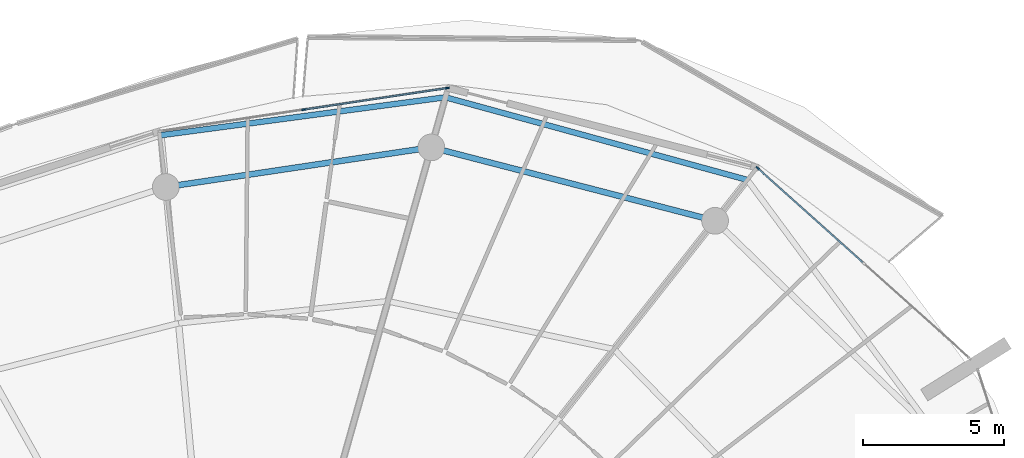
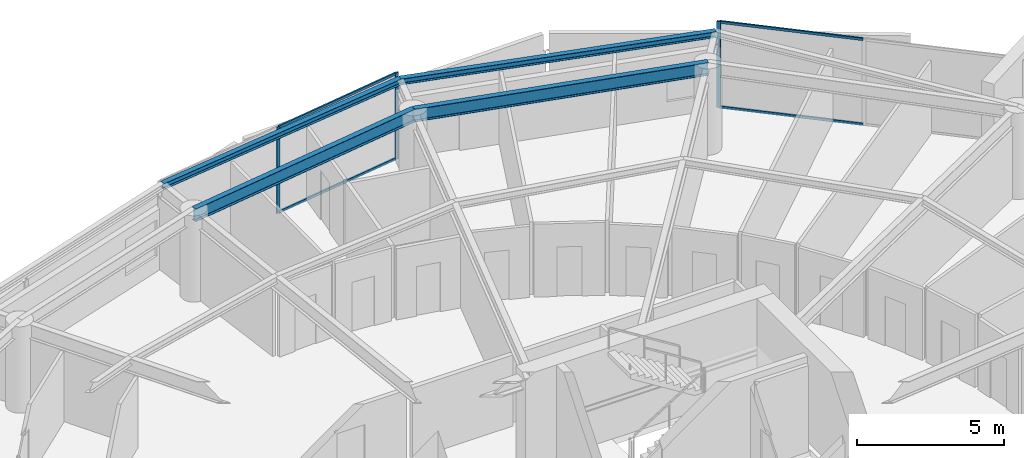
# One storey, part 16 of 31: 7 members, 4 beams, 2 elements without a shape of their own.
"""IFC4 building model written with IfcOpenShell, lengths in metres."""

from ifc_helpers import new_model, si_unit, direction, frame, origin, origin_2d, place, context, subcontext, project, spatial, rectangle, i_section, extrude, material, layer, layer_set, material_profile, profile_set, type_object, element, aggregate, save


model = new_model("IFC4")

# Units and contexts
model_context = context("Model", 3, precision=1e-05, world=origin(), true_north=direction((0.0, 1.0)))
body_context = subcontext(model_context, "Body", "Model", "MODEL_VIEW")
ifc_project = project(units=[si_unit("LENGTHUNIT", "METRE"), si_unit("AREAUNIT", "SQUARE_METRE"), si_unit("VOLUMEUNIT", "CUBIC_METRE"), si_unit("PLANEANGLEUNIT", "RADIAN"), si_unit("MASSUNIT", "GRAM", prefix="KILO")], contexts=[model_context])

# Site, building, storey
site_placement = place(None, origin())
site = spatial("IfcSite", under=ifc_project, at=site_placement, CompositionType="ELEMENT")
building_placement = place(site_placement, origin())
building = spatial("IfcBuilding", under=site, at=building_placement, Name="Kazma Halo Residences", CompositionType="ELEMENT")
storey_placement = place(building_placement, frame((0.0, 0.0, 259.800048828125)))
storey = spatial("IfcBuildingStorey", under=building, at=storey_placement, Name="L65", CompositionType="ELEMENT", Elevation=259.800048828125)

# Beams
ifc_material_1 = material(Name="Steel S355", Category="steel")
ifc_material_profile_1 = material_profile(ifc_material_1, i_section(OverallWidth=0.201904296875, OverallDepth=0.2470703125, WebThickness=0.00732421875, FlangeThickness=0.010986328125, FilletRadius=0.011962890625, at=origin_2d()), Name="W250x49.1")
ifc_profile_set_1 = profile_set([ifc_material_profile_1], Name="Steel S355")
beam_type_1 = type_object("IfcBeamType", Name="BM-BAL-CANT", PredefinedType="BEAM", material=ifc_profile_set_1)
beam_1_placement = place(storey_placement, frame((65.992431640625, 64.823486328125, 3.466552734375), z_axis=(-0.964514665976, 0.264029277006, 0.0), x_axis=(-0.264029277006, -0.964514665976, 0.0)))
element("IfcBeam", 1, at=beam_1_placement, inside=storey, type_object=beam_type_1, Name="L65 wave-balcony tie beam 02", PredefinedType="BEAM", context=body_context, shape_type="SweptSolid", body=[
    extrude(i_section(OverallWidth=0.201904296875, OverallDepth=0.2470703125, WebThickness=0.00732421875, FlangeThickness=0.010986328125, FilletRadius=0.011962890625, at=origin_2d()), origin(), (0.0, 0.0, 1.0), 11.1220703125),
])
beam_2_placement = place(storey_placement, frame((55.26513671875, 67.760009765625, 3.466552734375), z_axis=(-0.991234798397, -0.132111976922, 0.0), x_axis=(0.132111976922, -0.991234798397, 0.0)))
element("IfcBeam", 2, at=beam_2_placement, inside=storey, type_object=beam_type_1, Name="L65 wave-balcony tie beam 03", PredefinedType="BEAM", context=body_context, shape_type="SweptSolid", body=[
    extrude(i_section(OverallWidth=0.201904296875, OverallDepth=0.2470703125, WebThickness=0.00732421875, FlangeThickness=0.010986328125, FilletRadius=0.011962890625, at=origin_2d()), origin(), (0.0, 0.0, 1.0), 10.198974609375),
])
ifc_material_profile_2 = material_profile(ifc_material_1, i_section(OverallWidth=0.208984375, OverallDepth=0.532958984375, WebThickness=0.01025390625, FlangeThickness=0.015625, FilletRadius=0.01611328125, at=origin_2d()), Name="W530x92")
ifc_profile_set_2 = profile_set([ifc_material_profile_2], Name="Steel S355")
beam_type_2 = type_object("IfcBeamType", Name="BM-SPN-W530", PredefinedType="BEAM", material=ifc_profile_set_2)
beam_3_placement = place(storey_placement, frame((64.84716796875, 63.37060546875, 3.323486328125), z_axis=(-0.968126042852, 0.250463500639, 0.0), x_axis=(-0.250463500639, -0.968126042852, 0.0)))
element("IfcBeam", 3, at=beam_3_placement, inside=storey, type_object=beam_type_2, Name="L65 perimeter ring beam 02", PredefinedType="BEAM", context=body_context, shape_type="SweptSolid", body=[
    extrude(i_section(OverallWidth=0.208984375, OverallDepth=0.532958984375, WebThickness=0.01025390625, FlangeThickness=0.015625, FilletRadius=0.01611328125, at=origin_2d()), origin(), (0.0, 0.0, 1.0), 10.416259765625),
])
beam_4_placement = place(storey_placement, frame((54.762939453125, 65.9794921875, 3.323486328125), z_axis=(-0.989035441627, -0.147678350495, 0.0), x_axis=(0.147678350495, -0.989035441627, 0.0)))
element("IfcBeam", 4, at=beam_4_placement, inside=storey, type_object=beam_type_2, Name="L65 perimeter ring beam 03", PredefinedType="BEAM", context=body_context, shape_type="SweptSolid", body=[
    extrude(i_section(OverallWidth=0.208984375, OverallDepth=0.532958984375, WebThickness=0.01025390625, FlangeThickness=0.015625, FilletRadius=0.01611328125, at=origin_2d()), origin(), (0.0, 0.0, 1.0), 9.538818359375),
])

# Curtain wall, member
ifc_material_2 = material(Name="Aluminium AW-6063 T6 and Triple-Silver Low-E Glass", Category="aluminium")
ifc_layer = layer(ifc_material_2, 0.139892578125)
ifc_layer_set = layer_set([ifc_layer], Name="Aluminium AW-6063 T6 and Triple-Silver Low-E Glass")
curtain_wall_type = type_object("IfcCurtainWallType", Name="CW-SYS-5", PredefinedType="NOTDEFINED", material=ifc_layer_set)
curtain_wall_1_placement = place(storey_placement, origin())
curtain_wall_1 = element("IfcCurtainWall", 5, at=curtain_wall_1_placement, inside=storey, type_object=curtain_wall_type, Name="L65 unitised curtain wall B01", PredefinedType="NOTDEFINED")
ifc_material_3 = material(Name="Aluminium AW-6063 T6", Category="aluminium")
ifc_material_profile_3 = material_profile(ifc_material_3, rectangle(XDim=0.06005859375, YDim=0.139892578125, at=origin_2d()), Name="CWM-60x140")
ifc_profile_set_3 = profile_set([ifc_material_profile_3], Name="Aluminium AW-6063 T6")
member_type_1 = type_object("IfcMemberType", Name="CW-SYS-5-MUL", PredefinedType="MULLION", material=ifc_profile_set_3)
member_1_placement = place(storey_placement, frame((66.3603515625, 65.241455078125, 0.0), z_axis=(0.0, 0.0, 1.0), x_axis=(-0.667804826958, -0.744336424671, 0.0)))
member_1 = element("IfcMember", 6, at=member_1_placement, type_object=member_type_1, Name="CWS-5 mullion 3", PredefinedType="MULLION", context=body_context, shape_type="SweptSolid", body=[
    extrude(rectangle(XDim=0.06005859375, YDim=0.139892578125, at=origin_2d()), origin(), (0.0, 0.0, 1.0), 3.58984375),
])

# Curtain wall, members
curtain_wall_2_placement = place(storey_placement, origin())
curtain_wall_2 = element("IfcCurtainWall", 7, at=curtain_wall_2_placement, inside=storey, type_object=curtain_wall_type, Name="L65 unitised curtain wall B03", PredefinedType="NOTDEFINED")
member_2_placement = place(storey_placement, frame((55.328857421875, 68.087158203125, 0.0), z_axis=(0.0, 0.0, 1.0), x_axis=(0.148697080374, -0.988882792998, 0.0)))
member_2 = element("IfcMember", 8, at=member_2_placement, type_object=member_type_1, Name="CWS-5 mullion 1", PredefinedType="MULLION", context=body_context, shape_type="SweptSolid", body=[
    extrude(rectangle(XDim=0.06005859375, YDim=0.139892578125, at=origin_2d()), origin(), (0.0, 0.0, 1.0), 3.58984375),
])
member_3_placement = place(storey_placement, frame((50.2265625, 67.320068359375, 0.0), z_axis=(0.0, 0.0, 1.0), x_axis=(0.148697080374, -0.988882792998, 0.0)))
member_3 = element("IfcMember", 9, at=member_3_placement, type_object=member_type_1, Name="CWS-5 mullion 2", PredefinedType="MULLION", context=body_context, shape_type="SweptSolid", body=[
    extrude(rectangle(XDim=0.06005859375, YDim=0.139892578125, at=origin_2d()), origin(), (0.0, 0.0, 1.0), 3.58984375),
])

# Member
ifc_material_profile_4 = material_profile(ifc_material_3, rectangle(XDim=0.06005859375, YDim=0.10498046875, at=origin_2d()), Name="CWT-60x105")
ifc_profile_set_4 = profile_set([ifc_material_profile_4], Name="Aluminium AW-6063 T6")
member_type_2 = type_object("IfcMemberType", Name="CW-SYS-5-TRN", PredefinedType="USERDEFINED", material=ifc_profile_set_4)
member_4_placement = place(storey_placement, frame((70.099609375, 61.88671875, 0.030029296875), z_axis=(-0.744350700793, 0.667788914425, 0.0), x_axis=(-0.667788914425, -0.744350700793, 0.0)))
member_4 = element("IfcMember", 10, at=member_4_placement, type_object=member_type_2, Name="CWS-5 transom 2.1", ObjectType="TRANSOM", PredefinedType="USERDEFINED", context=body_context, shape_type="SweptSolid", body=[
    extrude(rectangle(XDim=0.06005859375, YDim=0.10498046875, at=origin_2d()), origin(), (0.0, 0.0, 1.0), 4.99365234375),
])

member_5_placement = place(storey_placement, frame((70.099609375, 61.88671875, 3.56005859375), z_axis=(-0.744350700793, 0.667788914425, 0.0), x_axis=(-0.667788914425, -0.744350700793, 0.0)))
member_5 = element("IfcMember", 11, at=member_5_placement, type_object=member_type_2, Name="CWS-5 transom 2.2", ObjectType="TRANSOM", PredefinedType="USERDEFINED", context=body_context, shape_type="SweptSolid", body=[
    extrude(rectangle(XDim=0.06005859375, YDim=0.10498046875, at=origin_2d()), origin(), (0.0, 0.0, 1.0), 4.99365234375),
])

aggregate(curtain_wall_1, [member_1, member_4, member_5])

member_6_placement = place(storey_placement, frame((55.29931640625, 68.082763671875, 0.030029296875), z_axis=(-0.988883972013, -0.148689239341, 0.0), x_axis=(0.148689239341, -0.988883972013, 0.0)))
member_6 = element("IfcMember", 12, at=member_6_placement, type_object=member_type_2, Name="CWS-5 transom 1.1", ObjectType="TRANSOM", PredefinedType="USERDEFINED", context=body_context, shape_type="SweptSolid", body=[
    extrude(rectangle(XDim=0.06005859375, YDim=0.10498046875, at=origin_2d()), origin(), (0.0, 0.0, 1.0), 5.099853515625),
])

member_7_placement = place(storey_placement, frame((55.29931640625, 68.082763671875, 3.56005859375), z_axis=(-0.988883972013, -0.148689239341, 0.0), x_axis=(0.148689239341, -0.988883972013, 0.0)))
member_7 = element("IfcMember", 13, at=member_7_placement, type_object=member_type_2, Name="CWS-5 transom 1.2", ObjectType="TRANSOM", PredefinedType="USERDEFINED", context=body_context, shape_type="SweptSolid", body=[
    extrude(rectangle(XDim=0.06005859375, YDim=0.10498046875, at=origin_2d()), origin(), (0.0, 0.0, 1.0), 5.099853515625),
])

aggregate(curtain_wall_2, [member_2, member_3, member_6, member_7])

save(model, "model.ifc")
